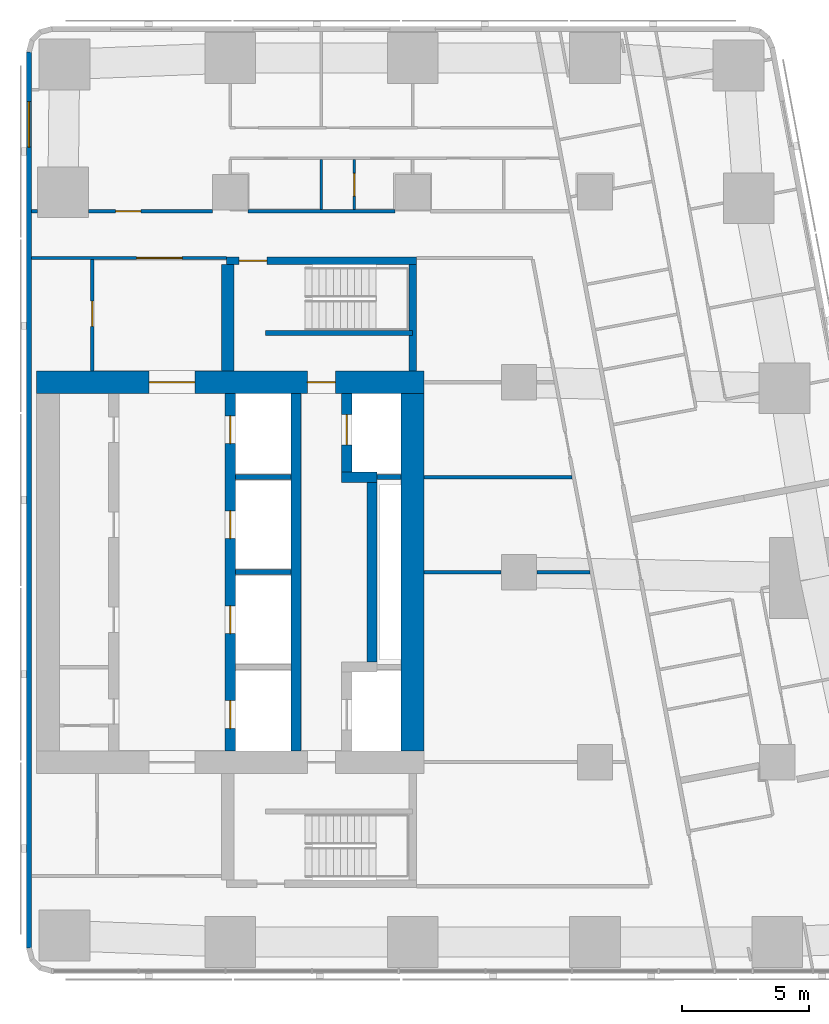
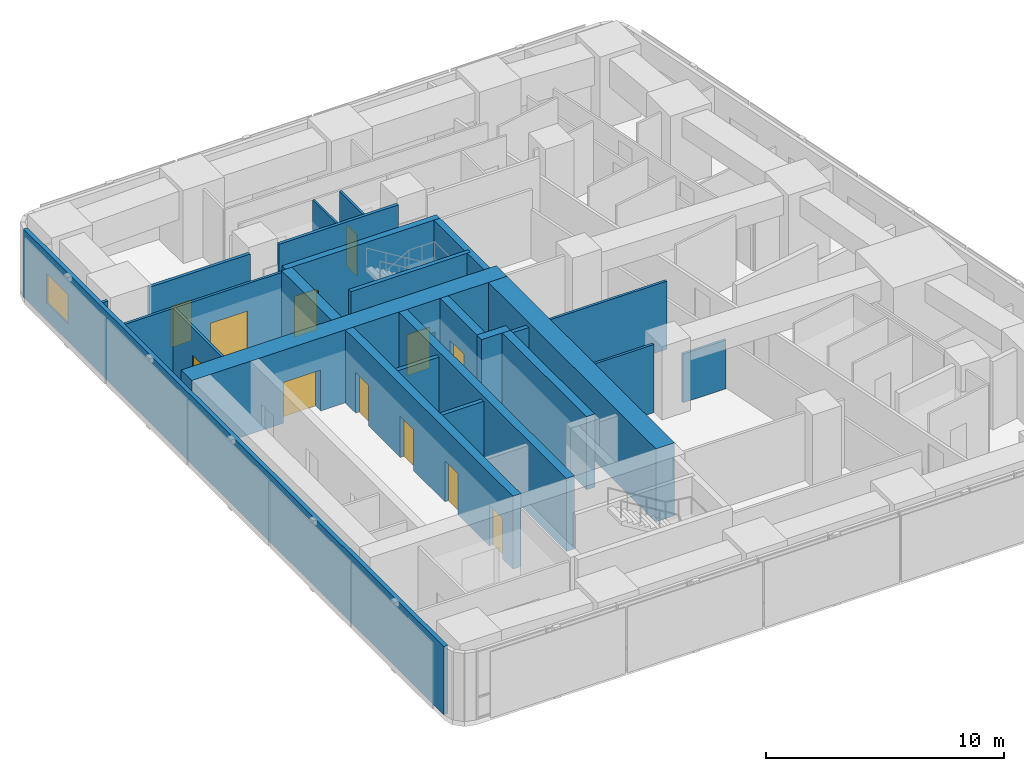
# One storey, part 6 of 11: 25 walls, 12 doors, 1 window, 13 openings.
"""IFC4 building model written with IfcOpenShell, lengths in metres."""

from ifc_helpers import new_model, si_unit, direction, frame, frame_2d, origin, place, context, subcontext, project, spatial, rectangle, extrude, material, layer, layer_set, type_object, element, fill, save


model = new_model("IFC4")

# Units and contexts
model_context = context("Model", 3, precision=1e-05, world=origin(), true_north=direction((0.0, 1.0)))
body_context = subcontext(model_context, "Body", "Model", "MODEL_VIEW")
ifc_project = project(units=[si_unit("LENGTHUNIT", "METRE"), si_unit("AREAUNIT", "SQUARE_METRE"), si_unit("VOLUMEUNIT", "CUBIC_METRE"), si_unit("PLANEANGLEUNIT", "RADIAN"), si_unit("MASSUNIT", "GRAM", prefix="KILO")], contexts=[model_context])

# Site, building, storey
site_placement = place(None, origin())
site = spatial("IfcSite", under=ifc_project, at=site_placement, CompositionType="ELEMENT")
building_placement = place(site_placement, origin())
building = spatial("IfcBuilding", under=site, at=building_placement, Name="Sheger Commons Tower", CompositionType="ELEMENT")
storey_placement = place(building_placement, frame((0.0, 0.0, 262.85009765625)))
storey = spatial("IfcBuildingStorey", under=building, at=storey_placement, Name="L67", CompositionType="ELEMENT", Elevation=262.85009765625)

# Wall, openings, doors
ifc_material_1 = material(Name="Concrete C50/60", Category="concrete")
ifc_layer_1 = layer(ifc_material_1, 0.39990234375)
ifc_layer_set_1 = layer_set([ifc_layer_1], Name="CORE INNER WALL 400")
wall_type_1 = type_object("IfcWallType", Name="CORE INNER WALL 400", PredefinedType="SHEAR", material=ifc_layer_set_1)
wall_1_placement = place(storey_placement, frame((21.60009765625, 15.449951171875, 0.0), z_axis=(0.0, 0.0, 1.0), x_axis=(0.0, 1.0, 0.0)))
wall_1 = element("IfcWall", 1, at=wall_1_placement, inside=storey, type_object=wall_type_1, Name="Core inner wall L L67", PredefinedType="SHEAR", context=body_context, shape_type="SweptSolid", body=[
    extrude(rectangle(XDim=14.10009765625, YDim=0.39990234375, at=frame_2d((7.050048828125, 0.0))), origin(), (0.0, 0.0, 1.0), 3.75),
])
opening_1_placement = place(wall_1_placement, frame((0.875, 0.0, 0.0)))
opening_1 = element("IfcOpeningElement", 2, at=opening_1_placement, cuts=wall_1, Name="Opening LD", PredefinedType="OPENING", context=body_context, shape_type="SweptSolid", body=[
    extrude(rectangle(XDim=1.10009765625, YDim=2.10009765625, at=frame_2d((0.550048828125, 1.050048828125))), frame((0.0, 0.2099609375, 0.0), z_axis=(0.0, -1.0, 0.0), x_axis=(1.0, 0.0, 0.0)), (0.0, 0.0, 1.0), 0.419921875),
])
opening_2_placement = place(wall_1_placement, frame((4.625, 0.0, 0.0)))
opening_2 = element("IfcOpeningElement", 3, at=opening_2_placement, cuts=wall_1, Name="Opening LD", PredefinedType="OPENING", context=body_context, shape_type="SweptSolid", body=[
    extrude(rectangle(XDim=1.10009765625, YDim=2.10009765625, at=frame_2d((0.550048828125, 1.050048828125))), frame((0.0, 0.2099609375, 0.0), z_axis=(0.0, -1.0, 0.0), x_axis=(1.0, 0.0, 0.0)), (0.0, 0.0, 1.0), 0.419921875),
])
opening_3_placement = place(wall_1_placement, frame((8.375, 0.0, 0.0)))
opening_3 = element("IfcOpeningElement", 4, at=opening_3_placement, cuts=wall_1, Name="Opening LD", PredefinedType="OPENING", context=body_context, shape_type="SweptSolid", body=[
    extrude(rectangle(XDim=1.10009765625, YDim=2.10009765625, at=frame_2d((0.550048828125, 1.050048828125))), frame((0.0, 0.2099609375, 0.0), z_axis=(0.0, -1.0, 0.0), x_axis=(1.0, 0.0, 0.0)), (0.0, 0.0, 1.0), 0.419921875),
])
opening_4_placement = place(wall_1_placement, frame((12.125, 0.0, 0.0)))
opening_4 = element("IfcOpeningElement", 5, at=opening_4_placement, cuts=wall_1, Name="Opening LD", PredefinedType="OPENING", context=body_context, shape_type="SweptSolid", body=[
    extrude(rectangle(XDim=1.10009765625, YDim=2.10009765625, at=frame_2d((0.550048828125, 1.050048828125))), frame((0.0, 0.2099609375, 0.0), z_axis=(0.0, -1.0, 0.0), x_axis=(1.0, 0.0, 0.0)), (0.0, 0.0, 1.0), 0.419921875),
])
ifc_material_2 = material(Name="Steel door set, fire rated", Category="steel")
door_type_1 = type_object("IfcDoorType", Name="LIFT LANDING DOOR 1100x2100", OperationType="DOUBLE_DOOR_SLIDING", PredefinedType="DOOR", material=ifc_material_2)
door_1_placement = place(opening_1_placement, origin())
door_1 = element("IfcDoor", 6, at=door_1_placement, inside=storey, type_object=door_type_1, Name="Lift LB1 landing door", OperationType="DOUBLE_DOOR_SLIDING", OverallHeight=2.10009765625, OverallWidth=1.10009765625, PredefinedType="DOOR", context=body_context, shape_type="SweptSolid", body=[
    extrude(rectangle(XDim=1.10009765625, YDim=2.10009765625, at=frame_2d((0.550048828125, 1.050048828125))), frame((0.0, 0.02490234375, 0.0), z_axis=(0.0, -1.0, 0.0), x_axis=(1.0, 0.0, 0.0)), (0.0, 0.0, 1.0), 0.050048828125),
])
fill(opening_1, door_1)
door_2_placement = place(opening_2_placement, origin())
door_2 = element("IfcDoor", 7, at=door_2_placement, inside=storey, type_object=door_type_1, Name="Lift LB2 landing door", OperationType="DOUBLE_DOOR_SLIDING", OverallHeight=2.10009765625, OverallWidth=1.10009765625, PredefinedType="DOOR", context=body_context, shape_type="SweptSolid", body=[
    extrude(rectangle(XDim=1.10009765625, YDim=2.10009765625, at=frame_2d((0.550048828125, 1.050048828125))), frame((0.0, 0.02490234375, 0.0), z_axis=(0.0, -1.0, 0.0), x_axis=(1.0, 0.0, 0.0)), (0.0, 0.0, 1.0), 0.050048828125),
])
fill(opening_2, door_2)
door_3_placement = place(opening_3_placement, origin())
door_3 = element("IfcDoor", 8, at=door_3_placement, inside=storey, type_object=door_type_1, Name="Lift LB3 landing door", OperationType="DOUBLE_DOOR_SLIDING", OverallHeight=2.10009765625, OverallWidth=1.10009765625, PredefinedType="DOOR", context=body_context, shape_type="SweptSolid", body=[
    extrude(rectangle(XDim=1.10009765625, YDim=2.10009765625, at=frame_2d((0.550048828125, 1.050048828125))), frame((0.0, 0.02490234375, 0.0), z_axis=(0.0, -1.0, 0.0), x_axis=(1.0, 0.0, 0.0)), (0.0, 0.0, 1.0), 0.050048828125),
])
fill(opening_3, door_3)
door_4_placement = place(opening_4_placement, origin())
door_4 = element("IfcDoor", 9, at=door_4_placement, inside=storey, type_object=door_type_1, Name="Lift LB4 landing door", OperationType="DOUBLE_DOOR_SLIDING", OverallHeight=2.10009765625, OverallWidth=1.10009765625, PredefinedType="DOOR", context=body_context, shape_type="SweptSolid", body=[
    extrude(rectangle(XDim=1.10009765625, YDim=2.10009765625, at=frame_2d((0.550048828125, 1.050048828125))), frame((0.0, 0.02490234375, 0.0), z_axis=(0.0, -1.0, 0.0), x_axis=(1.0, 0.0, 0.0)), (0.0, 0.0, 1.0), 0.050048828125),
])
fill(opening_4, door_4)

# Walls
wall_2_placement = place(storey_placement, frame((24.199951171875, 15.449951171875, 0.0), z_axis=(0.0, 0.0, 1.0), x_axis=(0.0, 1.0, 0.0)))
element("IfcWall", 10, at=wall_2_placement, inside=storey, type_object=wall_type_1, Name="Core inner wall B L67", PredefinedType="SHEAR", context=body_context, shape_type="SweptSolid", body=[
    extrude(rectangle(XDim=14.10009765625, YDim=0.39990234375, at=frame_2d((7.050048828125, 0.0))), origin(), (0.0, 0.0, 1.0), 3.75),
])
wall_3_placement = place(storey_placement, frame((27.199951171875, 18.949951171875, 0.0), z_axis=(0.0, 0.0, 1.0), x_axis=(0.0, 1.0, 0.0)))
element("IfcWall", 11, at=wall_3_placement, inside=storey, type_object=wall_type_1, Name="Core inner wall F middle L67", PredefinedType="SHEAR", context=body_context, shape_type="SweptSolid", body=[
    extrude(rectangle(XDim=7.10009765625, YDim=0.39990234375, at=frame_2d((3.550048828125, 0.0))), origin(), (0.0, 0.0, 1.0), 3.75),
])
wall_4_placement = place(storey_placement, frame((26.0, 26.25, 0.0), z_axis=(0.0, 0.0, 1.0), x_axis=(1.0, 0.0, 0.0)))
element("IfcWall", 12, at=wall_4_placement, inside=storey, type_object=wall_type_1, Name="Core inner wall F north return L67", PredefinedType="SHEAR", context=body_context, shape_type="SweptSolid", body=[
    extrude(rectangle(XDim=1.39990234375, YDim=0.39990234375, at=frame_2d((0.699951171875, 0.0))), origin(), (0.0, 0.0, 1.0), 3.75),
])

# Wall, opening, door
wall_5_placement = place(storey_placement, frame((26.199951171875, 26.449951171875, 0.0), z_axis=(0.0, 0.0, 1.0), x_axis=(0.0, 1.0, 0.0)))
wall_5 = element("IfcWall", 13, at=wall_5_placement, inside=storey, type_object=wall_type_1, Name="Core inner wall F north L67", PredefinedType="SHEAR", context=body_context, shape_type="SweptSolid", body=[
    extrude(rectangle(XDim=3.10009765625, YDim=0.39990234375, at=frame_2d((1.550048828125, 0.0))), origin(), (0.0, 0.0, 1.0), 3.75),
])
opening_5_placement = place(wall_5_placement, frame((1.074951171875, 0.0, 0.0)))
opening_5 = element("IfcOpeningElement", 14, at=opening_5_placement, cuts=wall_5, Name="Opening LD2", PredefinedType="OPENING", context=body_context, shape_type="SweptSolid", body=[
    extrude(rectangle(XDim=1.199951171875, YDim=2.10009765625, at=frame_2d((0.60009765625, 1.050048828125))), frame((0.0, 0.2099609375, 0.0), z_axis=(0.0, -1.0, 0.0), x_axis=(1.0, 0.0, 0.0)), (0.0, 0.0, 1.0), 0.419921875),
])
ifc_material_3 = material(Name="Steel door set, fire rated", Category="steel")
door_type_2 = type_object("IfcDoorType", Name="FIREFIGHTING LIFT LANDING DOOR 1200x2100", OperationType="DOUBLE_DOOR_SLIDING", PredefinedType="DOOR", material=ifc_material_3)
door_5_placement = place(opening_5_placement, origin())
door_5 = element("IfcDoor", 15, at=door_5_placement, inside=storey, type_object=door_type_2, Name="Lift FL2 landing door", OperationType="DOUBLE_DOOR_SLIDING", OverallHeight=2.10009765625, OverallWidth=1.199951171875, PredefinedType="DOOR", context=body_context, shape_type="SweptSolid", body=[
    extrude(rectangle(XDim=1.199951171875, YDim=2.10009765625, at=frame_2d((0.60009765625, 1.050048828125))), frame((0.0, 0.02490234375, 0.0), z_axis=(0.0, -1.0, 0.0), x_axis=(1.0, 0.0, 0.0)), (0.0, 0.0, 1.0), 0.050048828125),
])
fill(opening_5, door_5)

# Wall, openings, doors
ifc_material_4 = material(Name="Concrete C50/60", Category="concrete")
ifc_layer_2 = layer(ifc_material_4, 0.89990234375)
ifc_layer_set_2 = layer_set([ifc_layer_2], Name="CORE WALL 900")
wall_type_2 = type_object("IfcWallType", Name="CORE WALL 900", PredefinedType="SHEAR", material=ifc_layer_set_2)
wall_6_placement = place(storey_placement, frame((13.949951171875, 30.0, 0.0), z_axis=(0.0, 0.0, 1.0), x_axis=(1.0, 0.0, 0.0)))
wall_6 = element("IfcWall", 16, at=wall_6_placement, inside=storey, type_object=wall_type_2, Name="Core wall north L67", PredefinedType="SHEAR", context=body_context, shape_type="SweptSolid", body=[
    extrude(rectangle(XDim=15.300048828125, YDim=0.89990234375, at=frame_2d((7.64990234375, 0.0))), origin(), (0.0, 0.0, 1.0), 3.75),
])
opening_6_placement = place(wall_6_placement, frame((4.449951171875, 0.0, 0.0)))
opening_6 = element("IfcOpeningElement", 17, at=opening_6_placement, cuts=wall_6, Name="Opening D6", PredefinedType="OPENING", context=body_context, shape_type="SweptSolid", body=[
    extrude(rectangle(XDim=1.800048828125, YDim=2.10009765625, at=frame_2d((0.89990234375, 1.050048828125))), frame((0.0, 0.4599609375, 0.0), z_axis=(0.0, -1.0, 0.0), x_axis=(1.0, 0.0, 0.0)), (0.0, 0.0, 1.0), 0.919921875),
])
opening_7_placement = place(wall_6_placement, frame((10.699951171875, 0.0, 0.0)))
opening_7 = element("IfcOpeningElement", 18, at=opening_7_placement, cuts=wall_6, Name="Opening D5", PredefinedType="OPENING", context=body_context, shape_type="SweptSolid", body=[
    extrude(rectangle(XDim=1.10009765625, YDim=2.10009765625, at=frame_2d((0.550048828125, 1.050048828125))), frame((0.0, 0.4599609375, 0.0), z_axis=(0.0, -1.0, 0.0), x_axis=(1.0, 0.0, 0.0)), (0.0, 0.0, 1.0), 0.919921875),
])
ifc_material_5 = material(Name="Steel door set, fire rated", Category="steel")
door_type_3 = type_object("IfcDoorType", Name="LOBBY DOUBLE DOOR 1800x2100", OperationType="DOUBLE_DOOR_SINGLE_SWING", PredefinedType="DOOR", material=ifc_material_5)
door_6_placement = place(opening_6_placement, origin())
door_6 = element("IfcDoor", 19, at=door_6_placement, inside=storey, type_object=door_type_3, Name="Lift lobby door", OperationType="DOUBLE_DOOR_SINGLE_SWING", OverallHeight=2.10009765625, OverallWidth=1.800048828125, PredefinedType="DOOR", context=body_context, shape_type="SweptSolid", body=[
    extrude(rectangle(XDim=1.800048828125, YDim=2.10009765625, at=frame_2d((0.89990234375, 1.050048828125))), frame((0.0, 0.02490234375, 0.0), z_axis=(0.0, -1.0, 0.0), x_axis=(1.0, 0.0, 0.0)), (0.0, 0.0, 1.0), 0.050048828125),
])
fill(opening_6, door_6)
ifc_material_6 = material(Name="Steel door set, fire rated", Category="steel")
door_type_4 = type_object("IfcDoorType", Name="STAIR DOOR 1100x2100", OperationType="NOTDEFINED", PredefinedType="DOOR", material=ifc_material_6)
door_7_placement = place(opening_7_placement, origin())
door_7 = element("IfcDoor", 20, at=door_7_placement, inside=storey, type_object=door_type_4, Name="Fire-fighting lobby door", OperationType="SINGLE_SWING_LEFT", OverallHeight=2.10009765625, OverallWidth=1.10009765625, PredefinedType="DOOR", context=body_context, shape_type="SweptSolid", body=[
    extrude(rectangle(XDim=1.10009765625, YDim=2.10009765625, at=frame_2d((0.550048828125, 1.050048828125))), frame((0.0, 0.02490234375, 0.0), z_axis=(0.0, -1.0, 0.0), x_axis=(1.0, 0.0, 0.0)), (0.0, 0.0, 1.0), 0.050048828125),
])
fill(opening_7, door_7)

# Walls
wall_7_placement = place(storey_placement, frame((28.800048828125, 15.449951171875, 0.0), z_axis=(0.0, 0.0, 1.0), x_axis=(0.0, 1.0, 0.0)))
element("IfcWall", 21, at=wall_7_placement, inside=storey, type_object=wall_type_2, Name="Core wall east L67", PredefinedType="SHEAR", context=body_context, shape_type="SweptSolid", body=[
    extrude(rectangle(XDim=14.10009765625, YDim=0.89990234375, at=frame_2d((7.050048828125, 0.0))), origin(), (0.0, 0.0, 1.0), 3.75),
])
ifc_material_7 = material(Name="Hollow concrete block masonry, skimmed both sides", Category="masonry")
ifc_layer_3 = layer(ifc_material_7, 0.14990234375)
ifc_layer_set_3 = layer_set([ifc_layer_3], Name="CORRIDOR WALL 150")
wall_type_3 = type_object("IfcWallType", Name="CORRIDOR WALL 150", PredefinedType="SOLIDWALL", material=ifc_layer_set_3)
wall_8_placement = place(storey_placement, frame((13.75, 36.75, 0.0), z_axis=(0.0, 0.0, 1.0), x_axis=(1.0, 0.0, 0.0)))
element("IfcWall", 22, at=wall_8_placement, inside=storey, type_object=wall_type_3, Name="Corridor wall L67", PredefinedType="SOLIDWALL", context=body_context, shape_type="SweptSolid", body=[
    extrude(rectangle(XDim=0.2490234375, YDim=0.14990234375, at=frame_2d((0.12451171875, 0.0))), origin(), (0.0, 0.0, 1.0), 3.5),
])

# Wall, opening, door
wall_9_placement = place(storey_placement, frame((16.0009765625, 36.75, 0.0), z_axis=(0.0, 0.0, 1.0), x_axis=(1.0, 0.0, 0.0)))
wall_9 = element("IfcWall", 23, at=wall_9_placement, inside=storey, type_object=wall_type_3, Name="Corridor wall L67", PredefinedType="SOLIDWALL", context=body_context, shape_type="SweptSolid", body=[
    extrude(rectangle(XDim=4.89794921875, YDim=0.14990234375, at=frame_2d((2.448974609375, 0.0))), origin(), (0.0, 0.0, 1.0), 3.5),
])
opening_8_placement = place(wall_9_placement, frame((1.073974609375, 0.0, 0.0)))
opening_8 = element("IfcOpeningElement", 24, at=opening_8_placement, cuts=wall_9, Name="Opening D1", PredefinedType="OPENING", context=body_context, shape_type="SweptSolid", body=[
    extrude(rectangle(XDim=1.0, YDim=2.10009765625, at=frame_2d((0.5, 1.050048828125))), frame((0.0, 0.0849609375, 0.0), z_axis=(0.0, -1.0, 0.0), x_axis=(1.0, 0.0, 0.0)), (0.0, 0.0, 1.0), 0.169921875),
])
ifc_material_8 = material(Name="Steel door set, fire rated", Category="steel")
door_type_5 = type_object("IfcDoorType", Name="FLAT ENTRANCE DOOR 1000x2100", OperationType="NOTDEFINED", PredefinedType="DOOR", material=ifc_material_8)
door_8_placement = place(opening_8_placement, origin())
door_8 = element("IfcDoor", 25, at=door_8_placement, inside=storey, type_object=door_type_5, Name="Flat entrance door", OperationType="SINGLE_SWING_LEFT", OverallHeight=2.10009765625, OverallWidth=1.0, PredefinedType="DOOR", context=body_context, shape_type="SweptSolid", body=[
    extrude(rectangle(XDim=1.0, YDim=2.10009765625, at=frame_2d((0.5, 1.050048828125))), frame((0.0, 0.02490234375, 0.0), z_axis=(0.0, -1.0, 0.0), x_axis=(1.0, 0.0, 0.0)), (0.0, 0.0, 1.0), 0.050048828125),
])
fill(opening_8, door_8)

# Wall
wall_10_placement = place(storey_placement, frame((22.301025390625, 36.75, 0.0), z_axis=(0.0, 0.0, 1.0), x_axis=(1.0, 0.0, 0.0)))
element("IfcWall", 26, at=wall_10_placement, inside=storey, type_object=wall_type_3, Name="Corridor wall L67", PredefinedType="SOLIDWALL", context=body_context, shape_type="SweptSolid", body=[
    extrude(rectangle(XDim=5.798095703125, YDim=0.14990234375, at=frame_2d((2.89892578125, 0.0))), origin(), (0.0, 0.0, 1.0), 3.5),
])

# Wall, opening, window
ifc_material_9 = material(Name="Rendered concrete block masonry, dark grey", Category="masonry")
ifc_layer_4 = layer(ifc_material_9, 0.199951171875)
ifc_layer_set_4 = layer_set([ifc_layer_4], Name="FACADE WALL 200")
wall_type_4 = type_object("IfcWallType", Name="FACADE WALL 200", PredefinedType="SOLIDWALL", material=ifc_layer_set_4)
wall_11_placement = place(storey_placement, frame((13.64990234375, 43.037109375, 0.0), z_axis=(0.0, 0.0, 1.0), x_axis=(0.0, -1.0, 0.0)))
wall_11 = element("IfcWall", 27, at=wall_11_placement, inside=storey, type_object=wall_type_4, Name="Facade wall L67", PredefinedType="SOLIDWALL", context=body_context, shape_type="SweptSolid", body=[
    extrude(rectangle(XDim=35.3740234375, YDim=0.199951171875, at=frame_2d((17.68701171875, 0.0))), origin(), (0.0, 0.0, 1.0), 3.5),
])
opening_9_placement = place(wall_11_placement, frame((1.958984375, 0.0, 0.89990234375)))
opening_9 = element("IfcOpeningElement", 28, at=opening_9_placement, cuts=wall_11, Name="Opening W2", PredefinedType="OPENING", context=body_context, shape_type="SweptSolid", body=[
    extrude(rectangle(XDim=1.800048828125, YDim=1.5, at=frame_2d((0.89990234375, 0.75))), frame((0.0, 0.10986328125, 0.0), z_axis=(0.0, -1.0, 0.0), x_axis=(1.0, 0.0, 0.0)), (0.0, 0.0, 1.0), 0.219970703125),
])
ifc_material_10 = material(Name="Black aluminium frame, dark tinted double glazing", Category="aluminium")
window_type = type_object("IfcWindowType", Name="WINDOW W2 1800x1500", PartitioningType="SINGLE_PANEL", PredefinedType="WINDOW", material=ifc_material_10)
window_placement = place(opening_9_placement, origin())
window = element("IfcWindow", 29, at=window_placement, inside=storey, type_object=window_type, Name="Window W2 1800X1500", OverallHeight=1.5, OverallWidth=1.800048828125, PartitioningType="SINGLE_PANEL", PredefinedType="WINDOW", context=body_context, shape_type="SweptSolid", body=[
    extrude(rectangle(XDim=1.800048828125, YDim=1.5, at=frame_2d((0.89990234375, 0.75))), frame((0.0, 0.030029296875, 0.0), z_axis=(0.0, -1.0, 0.0), x_axis=(1.0, 0.0, 0.0)), (0.0, 0.0, 1.0), 0.06005859375),
])
fill(opening_9, window)

# Wall
ifc_material_11 = material(Name="Gypsum board on steel studs", Category="steel")
ifc_layer_5 = layer(ifc_material_11, 0.10009765625)
ifc_layer_set_5 = layer_set([ifc_layer_5], Name="PARTITION 100")
wall_type_5 = type_object("IfcWallType", Name="PARTITION 100", PredefinedType="PARTITIONING", material=ifc_layer_set_5)
wall_12_placement = place(storey_placement, frame((25.199951171875, 36.824951171875, 0.0), z_axis=(0.0, 0.0, 1.0), x_axis=(0.0, 1.0, 0.0)))
element("IfcWall", 30, at=wall_12_placement, inside=storey, type_object=wall_type_5, Name="Partition L67", PredefinedType="PARTITIONING", context=body_context, shape_type="SweptSolid", body=[
    extrude(rectangle(XDim=1.97509765625, YDim=0.10009765625, at=frame_2d((0.987548828125, 0.0))), origin(), (0.0, 0.0, 1.0), 3.5),
])

# Wall, opening, door
wall_13_placement = place(storey_placement, frame((26.5, 36.824951171875, 0.0), z_axis=(0.0, 0.0, 1.0), x_axis=(0.0, 1.0, 0.0)))
wall_13 = element("IfcWall", 31, at=wall_13_placement, inside=storey, type_object=wall_type_5, Name="Partition L67", PredefinedType="PARTITIONING", context=body_context, shape_type="SweptSolid", body=[
    extrude(rectangle(XDim=1.97509765625, YDim=0.10009765625, at=frame_2d((0.987548828125, 0.0))), origin(), (0.0, 0.0, 1.0), 3.5),
])
opening_10_placement = place(wall_13_placement, frame((0.52490234375, 0.0, 0.0)))
opening_10 = element("IfcOpeningElement", 32, at=opening_10_placement, cuts=wall_13, Name="Opening D2", PredefinedType="OPENING", context=body_context, shape_type="SweptSolid", body=[
    extrude(rectangle(XDim=0.89990234375, YDim=2.10009765625, at=frame_2d((0.449951171875, 1.050048828125))), frame((0.0, 0.06005859375, 0.0), z_axis=(0.0, -1.0, 0.0), x_axis=(1.0, 0.0, 0.0)), (0.0, 0.0, 1.0), 0.1201171875),
])
ifc_material_12 = material(Name="Timber door set", Category="wood")
door_type_6 = type_object("IfcDoorType", Name="INTERNAL DOOR 900x2100", OperationType="NOTDEFINED", PredefinedType="DOOR", material=ifc_material_12)
door_9_placement = place(opening_10_placement, origin())
door_9 = element("IfcDoor", 33, at=door_9_placement, inside=storey, type_object=door_type_6, Name="Linen store door", OperationType="SINGLE_SWING_RIGHT", OverallHeight=2.10009765625, OverallWidth=0.89990234375, PredefinedType="DOOR", context=body_context, shape_type="SweptSolid", body=[
    extrude(rectangle(XDim=0.89990234375, YDim=2.10009765625, at=frame_2d((0.449951171875, 1.050048828125))), frame((0.0, 0.02490234375, 0.0), z_axis=(0.0, -1.0, 0.0), x_axis=(1.0, 0.0, 0.0)), (0.0, 0.0, 1.0), 0.050048828125),
])
fill(opening_10, door_9)

ifc_material_13 = material(Name="Gypsum board on steel studs, two layers each side, fire rated", Category="steel")
ifc_layer_6 = layer(ifc_material_13, 0.125)
ifc_layer_set_6 = layer_set([ifc_layer_6], Name="SERVICE WALL 125")
wall_type_6 = type_object("IfcWallType", Name="SERVICE WALL 125", PredefinedType="PARTITIONING", material=ifc_layer_set_6)
wall_14_placement = place(storey_placement, frame((13.75, 34.89990234375, 0.0), z_axis=(0.0, 0.0, 1.0), x_axis=(1.0, 0.0, 0.0)))
wall_14 = element("IfcWall", 34, at=wall_14_placement, inside=storey, type_object=wall_type_6, Name="Service room wall L67", PredefinedType="PARTITIONING", context=body_context, shape_type="SweptSolid", body=[
    extrude(rectangle(XDim=7.699951171875, YDim=0.125, at=frame_2d((3.85009765625, 0.0))), origin(), (0.0, 0.0, 1.0), 3.5),
])
opening_11_placement = place(wall_14_placement, frame((4.14990234375, 0.0, 0.0)))
opening_11 = element("IfcOpeningElement", 35, at=opening_11_placement, cuts=wall_14, Name="Opening D6", PredefinedType="OPENING", context=body_context, shape_type="SweptSolid", body=[
    extrude(rectangle(XDim=1.800048828125, YDim=2.10009765625, at=frame_2d((0.89990234375, 1.050048828125))), frame((0.0, 0.072509765625, 0.0), z_axis=(0.0, -1.0, 0.0), x_axis=(1.0, 0.0, 0.0)), (0.0, 0.0, 1.0), 0.14501953125),
])
door_10_placement = place(opening_11_placement, origin())
door_10 = element("IfcDoor", 36, at=door_10_placement, inside=storey, type_object=door_type_3, Name="Lift lobby north door", OperationType="DOUBLE_DOOR_SINGLE_SWING", OverallHeight=2.10009765625, OverallWidth=1.800048828125, PredefinedType="DOOR", context=body_context, shape_type="SweptSolid", body=[
    extrude(rectangle(XDim=1.800048828125, YDim=2.10009765625, at=frame_2d((0.89990234375, 1.050048828125))), frame((0.0, 0.02490234375, 0.0), z_axis=(0.0, -1.0, 0.0), x_axis=(1.0, 0.0, 0.0)), (0.0, 0.0, 1.0), 0.050048828125),
])
fill(opening_11, door_10)

wall_15_placement = place(storey_placement, frame((16.14990234375, 30.449951171875, 0.0), z_axis=(0.0, 0.0, 1.0), x_axis=(0.0, 1.0, 0.0)))
wall_15 = element("IfcWall", 37, at=wall_15_placement, inside=storey, type_object=wall_type_6, Name="Service room wall L67", PredefinedType="PARTITIONING", context=body_context, shape_type="SweptSolid", body=[
    extrude(rectangle(XDim=4.386962890625, YDim=0.125, at=frame_2d((2.193359375, 0.0))), origin(), (0.0, 0.0, 1.0), 3.5),
])
opening_12_placement = place(wall_15_placement, frame((1.75, 0.0, 0.0)))
opening_12 = element("IfcOpeningElement", 38, at=opening_12_placement, cuts=wall_15, Name="Opening D4", PredefinedType="OPENING", context=body_context, shape_type="SweptSolid", body=[
    extrude(rectangle(XDim=1.0, YDim=2.10009765625, at=frame_2d((0.5, 1.050048828125))), frame((0.0, 0.072509765625, 0.0), z_axis=(0.0, -1.0, 0.0), x_axis=(1.0, 0.0, 0.0)), (0.0, 0.0, 1.0), 0.14501953125),
])
ifc_material_14 = material(Name="Steel door set, fire rated", Category="steel")
door_type_7 = type_object("IfcDoorType", Name="SERVICE DOOR 1000x2100", OperationType="NOTDEFINED", PredefinedType="DOOR", material=ifc_material_14)
door_11_placement = place(opening_12_placement, origin())
door_11 = element("IfcDoor", 39, at=door_11_placement, inside=storey, type_object=door_type_7, Name="Telecom room door", OperationType="SINGLE_SWING_RIGHT", OverallHeight=2.10009765625, OverallWidth=1.0, PredefinedType="DOOR", context=body_context, shape_type="SweptSolid", body=[
    extrude(rectangle(XDim=1.0, YDim=2.10009765625, at=frame_2d((0.5, 1.050048828125))), frame((0.0, 0.02490234375, 0.0), z_axis=(0.0, -1.0, 0.0), x_axis=(1.0, 0.0, 0.0)), (0.0, 0.0, 1.0), 0.050048828125),
])
fill(opening_12, door_11)

# Walls
wall_16_placement = place(storey_placement, frame((29.25, 22.5, 0.0), z_axis=(0.0, 0.0, 1.0), x_axis=(1.0, 0.0, 0.0)))
element("IfcWall", 40, at=wall_16_placement, inside=storey, type_object=wall_type_6, Name="Service room wall L67", PredefinedType="PARTITIONING", context=body_context, shape_type="SweptSolid", body=[
    extrude(rectangle(XDim=3.049072265625, YDim=0.125, at=frame_2d((1.5244140625, 0.0))), origin(), (0.0, 0.0, 1.0), 3.5),
])
wall_17_placement = place(storey_placement, frame((33.700927734375, 22.5, 0.0), z_axis=(0.0, 0.0, 1.0), x_axis=(1.0, 0.0, 0.0)))
element("IfcWall", 41, at=wall_17_placement, inside=storey, type_object=wall_type_6, Name="Service room wall L67", PredefinedType="PARTITIONING", context=body_context, shape_type="SweptSolid", body=[
    extrude(rectangle(XDim=2.094970703125, YDim=0.125, at=frame_2d((1.04736328125, 0.0))), origin(), (0.0, 0.0, 1.0), 2.5),
])
wall_18_placement = place(storey_placement, frame((29.25, 26.25, 0.0), z_axis=(0.0, 0.0, 1.0), x_axis=(1.0, 0.0, 0.0)))
element("IfcWall", 42, at=wall_18_placement, inside=storey, type_object=wall_type_6, Name="Service room wall L67", PredefinedType="PARTITIONING", context=body_context, shape_type="SweptSolid", body=[
    extrude(rectangle(XDim=5.837890625, YDim=0.125, at=frame_2d((2.9189453125, 0.0))), origin(), (0.0, 0.0, 1.0), 3.5),
])
ifc_material_15 = material(Name="Hollow concrete block masonry", Category="masonry")
ifc_layer_7 = layer(ifc_material_15, 0.199951171875)
ifc_layer_set_7 = layer_set([ifc_layer_7], Name="SHAFT WALL 200")
wall_type_7 = type_object("IfcWallType", Name="SHAFT WALL 200", PredefinedType="SOLIDWALL", material=ifc_layer_set_7)
for number, where, z_axis, x_axis, name in (
    (43, (21.800048828125, 22.5, 0.0), (0.0, 0.0, 1.0), (1.0, 0.0, 0.0), "Lift shaft wall L67"),
    (44, (21.800048828125, 26.25, 0.0), (0.0, 0.0, 1.0), (1.0, 0.0, 0.0), "Lift shaft wall L67"),
):
    element("IfcWall", number, at=place(storey_placement, frame(where, z_axis=z_axis, x_axis=x_axis)), inside=storey, type_object=wall_type_7, Name=name, PredefinedType="SOLIDWALL", context=body_context, shape_type="SweptSolid", body=[
        extrude(rectangle(XDim=2.199951171875, YDim=0.199951171875, at=frame_2d((1.10009765625, 0.0))), origin(), (0.0, 0.0, 1.0), 3.5),
    ])
wall_19_placement = place(storey_placement, frame((27.39990234375, 26.25, 0.0), z_axis=(0.0, 0.0, 1.0), x_axis=(1.0, 0.0, 0.0)))
element("IfcWall", 45, at=wall_19_placement, inside=storey, type_object=wall_type_7, Name="Lift shaft wall L67", PredefinedType="SOLIDWALL", context=body_context, shape_type="SweptSolid", body=[
    extrude(rectangle(XDim=0.9501953125, YDim=0.199951171875, at=frame_2d((0.47509765625, 0.0))), origin(), (0.0, 0.0, 1.0), 3.5),
])

# Wall, opening, door
ifc_material_16 = material(Name="Concrete C50/60", Category="concrete")
ifc_layer_8 = layer(ifc_material_16, 0.300048828125)
ifc_layer_set_8 = layer_set([ifc_layer_8], Name="STAIR CORE WALL 300")
wall_type_8 = type_object("IfcWallType", Name="STAIR CORE WALL 300", PredefinedType="SHEAR", material=ifc_layer_set_8)
wall_20_placement = place(storey_placement, frame((21.449951171875, 34.800048828125, 0.0), z_axis=(0.0, 0.0, 1.0), x_axis=(1.0, 0.0, 0.0)))
wall_20 = element("IfcWall", 46, at=wall_20_placement, inside=storey, type_object=wall_type_8, Name="STW-L67-S2N", PredefinedType="SHEAR", context=body_context, shape_type="SweptSolid", body=[
    extrude(rectangle(XDim=7.5, YDim=0.300048828125, at=frame_2d((3.75, 0.0))), origin(), (0.0, 0.0, 1.0), 3.75),
])
opening_13_placement = place(wall_20_placement, frame((0.5, 0.0, 0.0)))
opening_13 = element("IfcOpeningElement", 47, at=opening_13_placement, cuts=wall_20, Name="Opening D5", PredefinedType="OPENING", context=body_context, shape_type="SweptSolid", body=[
    extrude(rectangle(XDim=1.10009765625, YDim=2.10009765625, at=frame_2d((0.550048828125, 1.050048828125))), frame((0.0, 0.159912109375, 0.0), z_axis=(0.0, -1.0, 0.0), x_axis=(1.0, 0.0, 0.0)), (0.0, 0.0, 1.0), 0.320068359375),
])
door_12_placement = place(opening_13_placement, origin())
door_12 = element("IfcDoor", 48, at=door_12_placement, inside=storey, type_object=door_type_4, Name="Stair S2 door", OperationType="SINGLE_SWING_RIGHT", OverallHeight=2.10009765625, OverallWidth=1.10009765625, PredefinedType="DOOR", context=body_context, shape_type="SweptSolid", body=[
    extrude(rectangle(XDim=1.10009765625, YDim=2.10009765625, at=frame_2d((0.550048828125, 1.050048828125))), frame((0.0, 0.02490234375, 0.0), z_axis=(0.0, -1.0, 0.0), x_axis=(1.0, 0.0, 0.0)), (0.0, 0.0, 1.0), 0.050048828125),
])
fill(opening_13, door_12)

# Walls
wall_21_placement = place(storey_placement, frame((28.800048828125, 30.449951171875, 0.0), z_axis=(0.0, 0.0, 1.0), x_axis=(0.0, 1.0, 0.0)))
element("IfcWall", 49, at=wall_21_placement, inside=storey, type_object=wall_type_8, Name="STW-L67-S2E", PredefinedType="SHEAR", context=body_context, shape_type="SweptSolid", body=[
    extrude(rectangle(XDim=4.199951171875, YDim=0.300048828125, at=frame_2d((2.10009765625, 0.0))), origin(), (0.0, 0.0, 1.0), 3.75),
])
ifc_material_17 = material(Name="Concrete C50/60", Category="concrete")
ifc_layer_9 = layer(ifc_material_17, 0.5)
ifc_layer_set_9 = layer_set([ifc_layer_9], Name="STAIR CORE WALL 500")
wall_type_9 = type_object("IfcWallType", Name="STAIR CORE WALL 500", PredefinedType="SHEAR", material=ifc_layer_set_9)
wall_22_placement = place(storey_placement, frame((21.5, 30.449951171875, 0.0), z_axis=(0.0, 0.0, 1.0), x_axis=(0.0, 1.0, 0.0)))
element("IfcWall", 50, at=wall_22_placement, inside=storey, type_object=wall_type_9, Name="STW-L67-S2W", PredefinedType="SHEAR", context=body_context, shape_type="SweptSolid", body=[
    extrude(rectangle(XDim=4.199951171875, YDim=0.5, at=frame_2d((2.10009765625, 0.0))), origin(), (0.0, 0.0, 1.0), 3.75),
])
ifc_material_18 = material(Name="Concrete C50/60", Category="concrete")
ifc_layer_10 = layer(ifc_material_18, 0.199951171875)
ifc_layer_set_10 = layer_set([ifc_layer_10], Name="STAIR SPINE WALL 200")
wall_type_10 = type_object("IfcWallType", Name="STAIR SPINE WALL 200", PredefinedType="SHEAR", material=ifc_layer_set_10)
wall_23_placement = place(storey_placement, frame((23.0, 31.949951171875, 0.0), z_axis=(0.0, 0.0, 1.0), x_axis=(1.0, 0.0, 0.0)))
element("IfcWall", 51, at=wall_23_placement, inside=storey, type_object=wall_type_10, Name="Stair spine wall L67", PredefinedType="SHEAR", context=body_context, shape_type="SweptSolid", body=[
    extrude(rectangle(XDim=5.800048828125, YDim=0.199951171875, at=frame_2d((2.89990234375, 0.0))), origin(), (0.0, 0.0, 1.0), 3.75),
])

save(model, "model.ifc")
